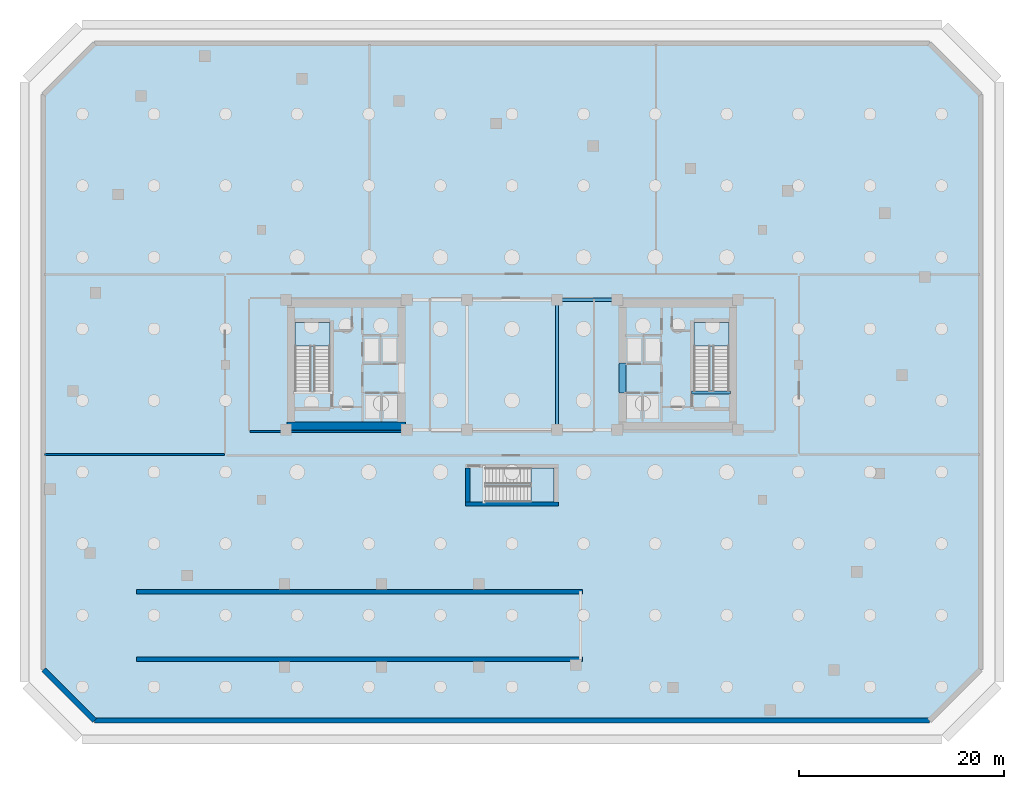
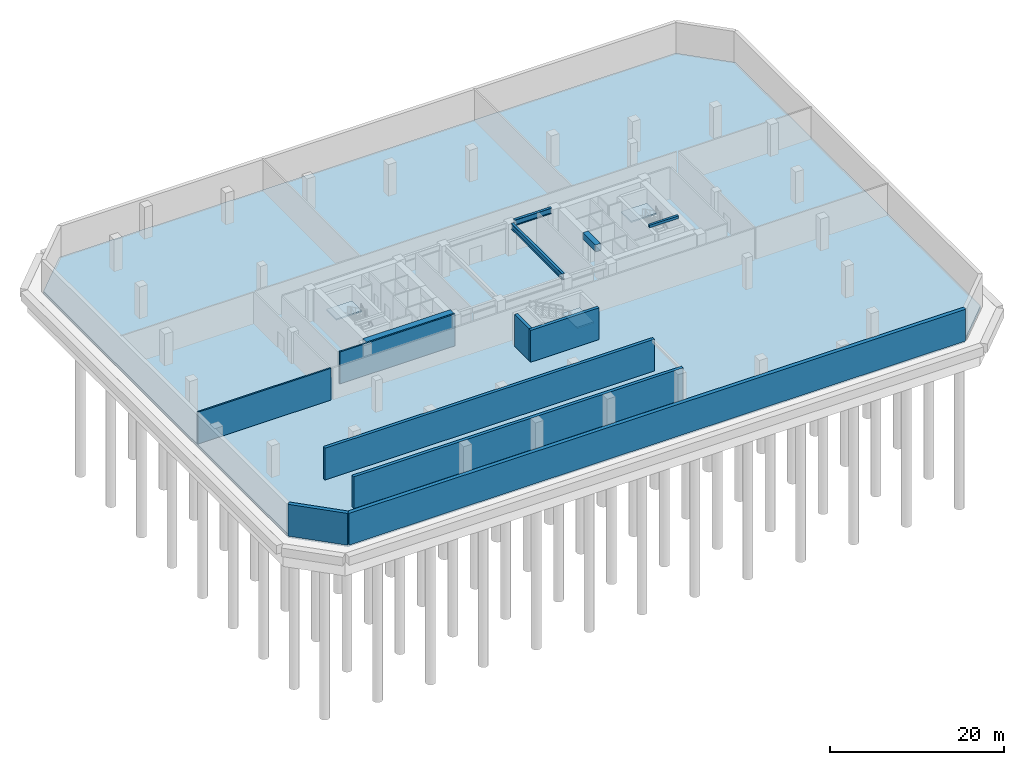
# One storey, part 2 of 10: 9 walls, 4 beams, 4 slabs, 3 elements without a shape of their own.
"""IFC4 building model written with IfcOpenShell, lengths in metres."""

from ifc_helpers import new_model, si_unit, direction, frame, frame_2d, origin, origin_2d, place, context, subcontext, project, spatial, polyline, rectangle, i_section, outline, extrude, material, layer, layer_set, material_profile, profile_set, type_object, element, aggregate, save


model = new_model("IFC4")

# Units and contexts
model_context = context("Model", 3, precision=1e-05, world=origin(), true_north=direction((0.0, 1.0)))
body_context = subcontext(model_context, "Body", "Model", "MODEL_VIEW")
ifc_project = project(units=[si_unit("LENGTHUNIT", "METRE"), si_unit("AREAUNIT", "SQUARE_METRE"), si_unit("VOLUMEUNIT", "CUBIC_METRE"), si_unit("PLANEANGLEUNIT", "RADIAN"), si_unit("MASSUNIT", "GRAM", prefix="KILO")], contexts=[model_context])

# Site, building, storey
site_placement = place(None, origin())
site = spatial("IfcSite", under=ifc_project, at=site_placement, CompositionType="ELEMENT")
building_placement = place(site_placement, origin())
building = spatial("IfcBuilding", under=site, at=building_placement, Name="Tavrogorsk Clinical Tower", CompositionType="ELEMENT")
storey_placement = place(building_placement, frame((0.0, 0.0, -10.199951171875)))
storey = spatial("IfcBuildingStorey", under=building, at=storey_placement, Name="B2", CompositionType="ELEMENT", Elevation=-10.199951171875)

# Beams
ifc_material_1 = material(Name="Concrete B80", Category="concrete")
ifc_material_profile_1 = material_profile(ifc_material_1, rectangle(XDim=0.699951171875, YDim=0.949951171875, at=origin_2d()), Name="RC-CB-700x950")
ifc_profile_set_1 = profile_set([ifc_material_profile_1], Name="Concrete B80")
beam_type_1 = type_object("IfcBeamType", Name="CouplingBeam_RC700x950", PredefinedType="LINTEL", material=ifc_profile_set_1)
beam_1_placement = place(storey_placement, frame((10.800048828125, -2.75, 3.974853515625), z_axis=(0.0, 1.0, 0.0), x_axis=(-1.0, 0.0, 0.0)))
element("IfcBeam", 1, at=beam_1_placement, inside=storey, type_object=beam_type_1, Name="B2 Core East Coupling Beam", PredefinedType="LINTEL", context=body_context, shape_type="SweptSolid", body=[
    extrude(rectangle(XDim=0.699951171875, YDim=0.949951171875, at=origin_2d()), origin(), (0.0, 0.0, 1.0), 2.89990234375),
])
ifc_material_2 = material(Name="Structural steel S390", Category="steel")
ifc_material_profile_2 = material_profile(ifc_material_2, i_section(OverallWidth=0.320068359375, OverallDepth=0.800048828125, WebThickness=0.02001953125, FlangeThickness=0.033935546875, at=origin_2d()), Name="B-800x320x20x34")
ifc_profile_set_2 = profile_set([ifc_material_profile_2], Name="Structural steel S390")
beam_type_2 = type_object("IfcBeamType", Name="PrimaryGirder_B800", PredefinedType="USERDEFINED", material=ifc_profile_set_2)
beam_2_placement = place(storey_placement, frame((4.89990234375, 6.35009765625, 4.050048828125), z_axis=(1.0, 0.0, 0.0), x_axis=(0.0, 1.0, 0.0)))
element("IfcBeam", 2, at=beam_2_placement, inside=storey, type_object=beam_type_2, Name="B2 Primary Spine Girder MG-06", ObjectType="GIRDER", PredefinedType="USERDEFINED", context=body_context, shape_type="SweptSolid", body=[
    extrude(i_section(OverallWidth=0.320068359375, OverallDepth=0.800048828125, WebThickness=0.02001953125, FlangeThickness=0.033935546875, at=origin_2d()), origin(), (0.0, 0.0, 1.0), 4.900146484375),
])
beam_3_placement = place(storey_placement, frame((4.39990234375, -5.85009765625, 4.050048828125), z_axis=(0.0, 1.0, 0.0), x_axis=(-1.0, 0.0, 0.0)))
element("IfcBeam", 3, at=beam_3_placement, inside=storey, type_object=beam_type_2, Name="B2 Primary Spine Girder MG-08", ObjectType="GIRDER", PredefinedType="USERDEFINED", context=body_context, shape_type="SweptSolid", body=[
    extrude(i_section(OverallWidth=0.320068359375, OverallDepth=0.800048828125, WebThickness=0.02001953125, FlangeThickness=0.033935546875, at=origin_2d()), origin(), (0.0, 0.0, 1.0), 11.7001953125),
])
ifc_material_3 = material(Name="Concrete B60", Category="concrete")
ifc_material_profile_3 = material_profile(ifc_material_3, rectangle(XDim=0.300048828125, YDim=0.35009765625, at=origin_2d()), Name="RC-SHB-300x350")
ifc_profile_set_3 = profile_set([ifc_material_profile_3], Name="Concrete B60")
beam_type_3 = type_object("IfcBeamType", Name="StairHeaderBeam_RC300x350", PredefinedType="BEAM", material=ifc_profile_set_3)
beam_4_placement = place(storey_placement, frame((17.550048828125, -2.719970703125, 4.625), z_axis=(1.0, 0.0, 0.0), x_axis=(0.0, 1.0, 0.0)))
element("IfcBeam", 4, at=beam_4_placement, inside=storey, type_object=beam_type_3, Name="B1 ST-E Landing Header Beam", PredefinedType="BEAM", context=body_context, shape_type="SweptSolid", body=[
    extrude(rectangle(XDim=0.300048828125, YDim=0.35009765625, at=origin_2d()), origin(), (0.0, 0.0, 1.0), 3.800048828125),
])

# Slab
ifc_material_4 = material(Name="Concrete B60", Category="concrete")
ifc_layer_1 = layer(ifc_material_4, 0.39990234375)
ifc_layer_set_1 = layer_set([ifc_layer_1], Name="Concrete B60")
slab_type_1 = type_object("IfcSlabType", Name="BaseSlab_400", PredefinedType="BASESLAB", material=ifc_layer_set_1)
slab_1_placement = place(storey_placement, frame((0.0, 0.0, -0.400146484375)))
element("IfcSlab", 5, at=slab_1_placement, inside=storey, type_object=slab_type_1, Name="B2 Structural Slab", PredefinedType="BASESLAB", context=body_context, shape_type="SweptSolid", body=[
    extrude(outline(polyline([(-40.800048828125, -34.800048828125), (40.800048828125, -34.800048828125), (45.800048828125, -29.800048828125), (45.800048828125, 26.39990234375), (40.800048828125, 31.39990234375), (-40.800048828125, 31.39990234375), (-45.800048828125, 26.39990234375), (-45.800048828125, -29.800048828125), (-40.800048828125, -34.800048828125)])), origin(), (0.0, 0.0, 1.0), 0.400146484375),
])

# Stair, slab
ifc_material_5 = material(Name="Concrete B60", Category="concrete")
stair_type = type_object("IfcStairType", Name="CoreStairAssembly", PredefinedType="HALF_TURN_STAIR", material=ifc_material_5)
stair_1_placement = place(storey_placement, origin())
stair_1 = element("IfcStair", 6, at=stair_1_placement, inside=storey, type_object=stair_type, Name="B2 ST-W", PredefinedType="HALF_TURN_STAIR")
ifc_material_6 = material(Name="Concrete B60", Category="concrete")
ifc_layer_2 = layer(ifc_material_6, 0.199951171875)
ifc_layer_set_2 = layer_set([ifc_layer_2], Name="Concrete B60")
slab_type_2 = type_object("IfcSlabType", Name="StairLanding_200", PredefinedType="LANDING", material=ifc_layer_set_2)
slab_2_placement = place(storey_placement, frame((0.0, 0.0, 2.199951171875)))
slab_2 = element("IfcSlab", 7, at=slab_2_placement, type_object=slab_type_2, Name="ST-W landing 1", PredefinedType="LANDING", context=body_context, shape_type="SweptSolid", body=[
    extrude(outline(polyline([(-17.800048828125, 1.844970703125), (-17.800048828125, 4.125), (-21.199951171875, 4.125), (-21.199951171875, 1.844970703125), (-17.800048828125, 1.844970703125)])), origin(), (0.0, 0.0, 1.0), 0.199951171875),
])
aggregate(stair_1, [slab_2])

stair_2_placement = place(storey_placement, origin())
stair_2 = element("IfcStair", 8, at=stair_2_placement, inside=storey, type_object=stair_type, Name="B2 ST-E", PredefinedType="HALF_TURN_STAIR")
slab_3_placement = place(storey_placement, frame((0.0, 0.0, 2.199951171875)))
slab_3 = element("IfcSlab", 9, at=slab_3_placement, type_object=slab_type_2, Name="ST-E landing 1", PredefinedType="LANDING", context=body_context, shape_type="SweptSolid", body=[
    extrude(outline(polyline([(21.199951171875, 1.844970703125), (21.199951171875, 4.125), (17.800048828125, 4.125), (17.800048828125, 1.844970703125), (21.199951171875, 1.844970703125)])), origin(), (0.0, 0.0, 1.0), 0.199951171875),
])
aggregate(stair_2, [slab_3])

stair_3_placement = place(storey_placement, origin())
stair_3 = element("IfcStair", 10, at=stair_3_placement, inside=storey, type_object=stair_type, Name="B2 ST-P", PredefinedType="HALF_TURN_STAIR")
slab_4_placement = place(storey_placement, frame((0.0, 0.0, 2.199951171875)))
slab_4 = element("IfcSlab", 11, at=slab_4_placement, type_object=slab_type_2, Name="ST-P landing 1", PredefinedType="LANDING", context=body_context, shape_type="SweptSolid", body=[
    extrude(outline(polyline([(1.844970703125, -13.39990234375), (4.125, -13.39990234375), (4.125, -10.10009765625), (1.844970703125, -10.10009765625), (1.844970703125, -13.39990234375)])), origin(), (0.0, 0.0, 1.0), 0.199951171875),
])
aggregate(stair_3, [slab_4])

# Walls
ifc_material_7 = material(Name="Concrete B60", Category="concrete")
ifc_layer_3 = layer(ifc_material_7, 0.199951171875)
ifc_layer_set_3 = layer_set([ifc_layer_3], Name="Concrete B60")
wall_type_1 = type_object("IfcWallType", Name="CoreFireWall_200", PredefinedType="SOLIDWALL", material=ifc_layer_set_3)
wall_1_placement = place(storey_placement, frame((-25.614990234375, -6.52001953125, 0.0), z_axis=(0.0, 0.0, 1.0), x_axis=(1.0, 0.0, 0.0)))
element("IfcWall", 12, at=wall_1_placement, inside=storey, type_object=wall_type_1, Name="B2 Corridor Fire Wall 14", PredefinedType="SOLIDWALL", context=body_context, shape_type="SweptSolid", body=[
    extrude(rectangle(XDim=15.235107421875, YDim=0.199951171875, at=frame_2d((7.61767578125, 0.0))), origin(), (0.0, 0.0, 1.0), 4.449951171875),
])
wall_2_placement = place(storey_placement, frame((-45.719970703125, -8.800048828125, 0.0), z_axis=(0.0, 0.0, 1.0), x_axis=(1.0, 0.0, 0.0)))
element("IfcWall", 13, at=wall_2_placement, inside=storey, type_object=wall_type_1, Name="B2 Compartment Fire Wall 1", PredefinedType="SOLIDWALL", context=body_context, shape_type="SweptSolid", body=[
    extrude(rectangle(XDim=17.614990234375, YDim=0.199951171875, at=frame_2d((8.8076171875, 0.0))), origin(), (0.0, 0.0, 1.0), 4.449951171875),
])
ifc_material_8 = material(Name="Concrete B80", Category="concrete")
ifc_layer_4 = layer(ifc_material_8, 0.39990234375)
ifc_layer_set_4 = layer_set([ifc_layer_4], Name="Concrete B80")
wall_type_2 = type_object("IfcWallType", Name="ShearWall_400", PredefinedType="SHEAR", material=ifc_layer_set_4)
for number, where, z_axis, x_axis, name in (
    (14, (-36.699951171875, -28.800048828125, 0.0), (0.0, 0.0, 1.0), (1.0, 0.0, 0.0), "B2 Vehicle Ramp South Trench Wall"),
    (15, (-36.699951171875, -22.199951171875, 0.0), (0.0, 0.0, 1.0), (1.0, 0.0, 0.0), "B2 Vehicle Ramp North Trench Wall"),
):
    element("IfcWall", number, at=place(storey_placement, frame(where, z_axis=z_axis, x_axis=x_axis)), inside=storey, type_object=wall_type_2, Name=name, PredefinedType="SHEAR", context=body_context, shape_type="SweptSolid", body=[
        extrude(rectangle(XDim=43.599853515625, YDim=0.39990234375, at=frame_2d((21.7998046875, 0.0))), origin(), (0.0, 0.0, 1.0), 4.449951171875),
    ])
wall_3_placement = place(storey_placement, frame((-4.52490234375, -13.60009765625, 0.0), z_axis=(0.0, 0.0, 1.0), x_axis=(1.0, 0.0, 0.0)))
element("IfcWall", 16, at=wall_3_placement, inside=storey, type_object=wall_type_2, Name="B2 Podium Stair South Shaft Wall", PredefinedType="SHEAR", context=body_context, shape_type="SweptSolid", body=[
    extrude(rectangle(XDim=9.0498046875, YDim=0.39990234375, at=frame_2d((4.52490234375, 0.0))), origin(), (0.0, 0.0, 1.0), 4.449951171875),
])
wall_4_placement = place(storey_placement, frame((-4.324951171875, -13.39990234375, 0.0), z_axis=(0.0, 0.0, 1.0), x_axis=(0.0, 1.0, 0.0)))
element("IfcWall", 17, at=wall_4_placement, inside=storey, type_object=wall_type_2, Name="B2 Podium Stair West Shaft Wall", PredefinedType="SHEAR", context=body_context, shape_type="SweptSolid", body=[
    extrude(rectangle(XDim=3.2998046875, YDim=0.39990234375, at=frame_2d((1.64990234375, 0.0))), origin(), (0.0, 0.0, 1.0), 4.449951171875),
])
ifc_material_9 = material(Name="Concrete B60", Category="concrete")
ifc_layer_5 = layer(ifc_material_9, 0.5)
ifc_layer_set_5 = layer_set([ifc_layer_5], Name="Concrete B60")
wall_type_3 = type_object("IfcWallType", Name="ShearWall_500", PredefinedType="SHEAR", material=ifc_layer_set_5)
wall_5_placement = place(storey_placement, frame((-40.800048828125, -34.800048828125, 0.0), z_axis=(0.0, 0.0, 1.0), x_axis=(1.0, 0.0, 0.0)))
element("IfcWall", 18, at=wall_5_placement, inside=storey, type_object=wall_type_3, Name="B2 Retaining Wall 1", PredefinedType="SHEAR", context=body_context, shape_type="SweptSolid", body=[
    extrude(rectangle(XDim=81.60009765625, YDim=0.5, at=frame_2d((40.800048828125, 0.0))), origin(), (0.0, 0.0, 1.0), 4.449951171875),
])
wall_6_placement = place(storey_placement, frame((-45.800048828125, -29.800048828125, 0.0), z_axis=(0.0, 0.0, 1.0), x_axis=(0.707106781187, -0.707106781187, 0.0)))
element("IfcWall", 19, at=wall_6_placement, inside=storey, type_object=wall_type_3, Name="B2 Retaining Wall 8", PredefinedType="SHEAR", context=body_context, shape_type="SweptSolid", body=[
    extrude(rectangle(XDim=7.071044921875, YDim=0.5, at=frame_2d((3.53564453125, 0.0))), origin(), (0.0, 0.0, 1.0), 4.449951171875),
])
ifc_material_10 = material(Name="Concrete B80", Category="concrete")
ifc_layer_6 = layer(ifc_material_10, 0.800048828125)
ifc_layer_set_6 = layer_set([ifc_layer_6], Name="Concrete B80")
wall_type_4 = type_object("IfcWallType", Name="ShearWall_800", PredefinedType="SHEAR", material=ifc_layer_set_6)
wall_7_placement = place(storey_placement, frame((-22.0, -6.0, 0.0), z_axis=(0.0, 0.0, 1.0), x_axis=(1.0, 0.0, 0.0)))
element("IfcWall", 20, at=wall_7_placement, inside=storey, type_object=wall_type_4, Name="B2 Core West South Shear Wall", PredefinedType="SHEAR", context=body_context, shape_type="SweptSolid", body=[
    extrude(rectangle(XDim=11.60009765625, YDim=0.800048828125, at=frame_2d((5.800048828125, 0.0))), origin(), (0.0, 0.0, 1.0), 4.449951171875),
])

save(model, "model.ifc")
